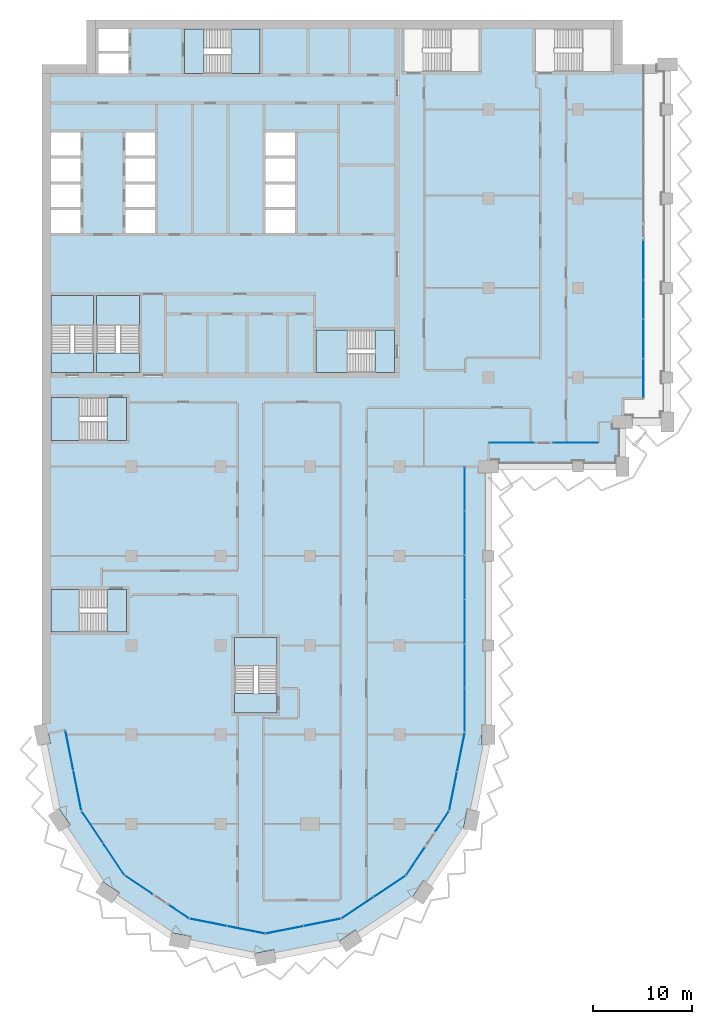
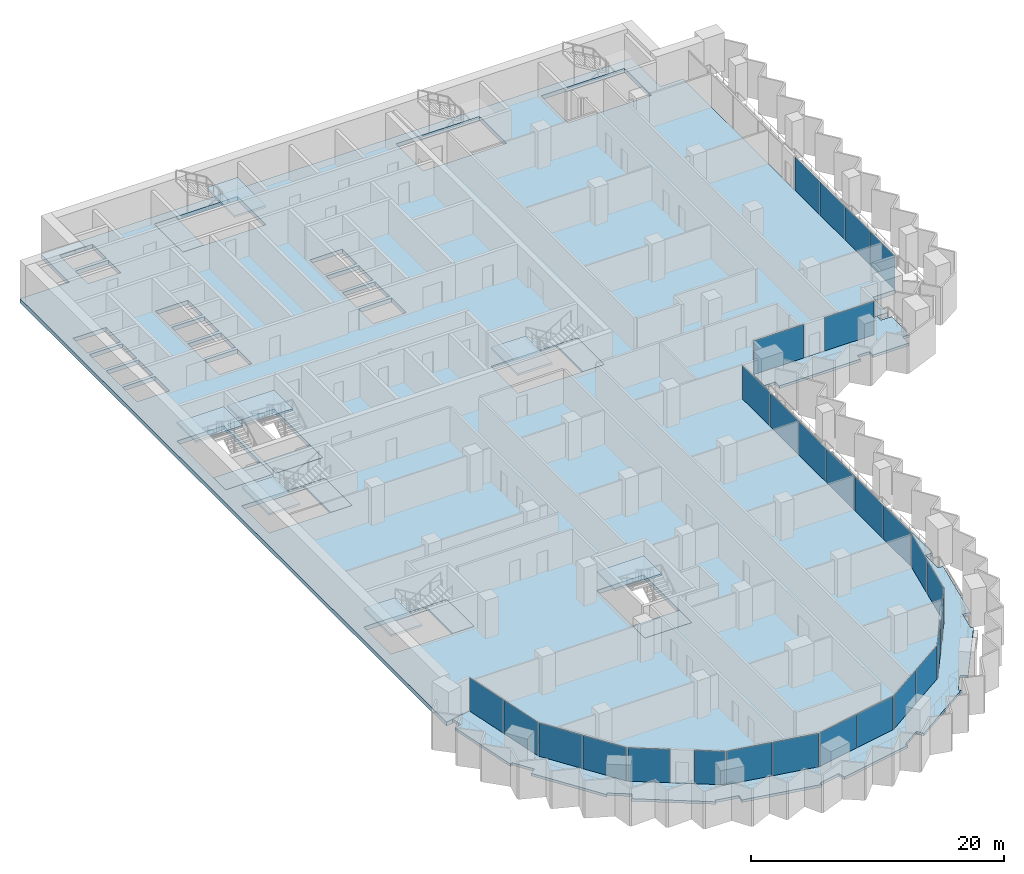
# One storey, part 7 of 23: 28 plates, 17 slabs, 21 elements without a shape of their own.
"""IFC4 building model written with IfcOpenShell, lengths in metres."""

from ifc_helpers import new_model, si_unit, direction, frame, origin, origin_2d, place, context, subcontext, project, spatial, polyline, rectangle, outline, extrude, material, layer, layer_set, type_object, element, aggregate, save


model = new_model("IFC4")

# Units and contexts
model_context = context("Model", 3, precision=1e-05, world=origin(), true_north=direction((0.0, 1.0)))
body_context = subcontext(model_context, "Body", "Model", "MODEL_VIEW")
ifc_project = project(units=[si_unit("LENGTHUNIT", "METRE"), si_unit("AREAUNIT", "SQUARE_METRE"), si_unit("VOLUMEUNIT", "CUBIC_METRE"), si_unit("PLANEANGLEUNIT", "RADIAN"), si_unit("MASSUNIT", "GRAM", prefix="KILO")], contexts=[model_context])

# Site, building, storey
site_placement = place(None, origin())
site = spatial("IfcSite", under=ifc_project, at=site_placement, CompositionType="ELEMENT")
building_placement = place(site_placement, origin())
building = spatial("IfcBuilding", under=site, at=building_placement, Name="Hunhe Ridgeline Campus", CompositionType="ELEMENT")
storey_placement = place(building_placement, frame((0.0, 0.0, 144.89990234375)))
storey = spatial("IfcBuildingStorey", under=building, at=storey_placement, Name="L36", CompositionType="ELEMENT", Elevation=144.89990234375)

# Curtain wall, plates
ifc_material_1 = material(Name="Aluminium 6063", Category="aluminium")
curtain_wall_type_1 = type_object("IfcCurtainWallType", Name="Curtain wall CW-5", PredefinedType="NOTDEFINED", material=ifc_material_1)
curtain_wall_1_placement = place(storey_placement, origin())
curtain_wall_1 = element("IfcCurtainWall", 1, at=curtain_wall_1_placement, inside=storey, type_object=curtain_wall_type_1, Name="Curtain wall 01", PredefinedType="NOTDEFINED")
ifc_material_2 = material(Name="Low-e laminated glass", Category="glass")
ifc_layer_1 = layer(ifc_material_2, 0.028076171875)
ifc_layer_set_1 = layer_set([ifc_layer_1], Name="Curtain wall glass panel 28 low-e laminated")
plate_type = type_object("IfcPlateType", Name="Curtain wall glass panel 28 low-e laminated", PredefinedType="CURTAIN_PANEL", material=ifc_layer_set_1)
plate_1_placement = place(storey_placement, frame((2.76318359375, 25.416015625, 0.0), z_axis=(0.0, 0.0, 1.0), x_axis=(0.195095347137, -0.980784280831, 0.0)))
plate_1 = element("IfcPlate", 2, at=plate_1_placement, type_object=plate_type, Name="CW-5 panel 1", PredefinedType="CURTAIN_PANEL", context=body_context, shape_type="SweptSolid", body=[
    extrude(rectangle(XDim=4.0458984375, YDim=0.028076171875, at=origin_2d()), origin(), (0.0, 0.0, 1.0), 3.22998046875),
])
plate_2_placement = place(storey_placement, frame((3.566162109375, 21.379150390625, 0.0), z_axis=(0.0, 0.0, 1.0), x_axis=(0.195095347137, -0.980784280831, 0.0)))
plate_2 = element("IfcPlate", 3, at=plate_2_placement, type_object=plate_type, Name="CW-5 panel 2", PredefinedType="CURTAIN_PANEL", context=body_context, shape_type="SweptSolid", body=[
    extrude(rectangle(XDim=4.0458984375, YDim=0.028076171875, at=origin_2d()), origin(), (0.0, 0.0, 1.0), 3.22998046875),
])
aggregate(curtain_wall_1, [plate_1, plate_2])

curtain_wall_2_placement = place(storey_placement, origin())
curtain_wall_2 = element("IfcCurtainWall", 4, at=curtain_wall_2_placement, inside=storey, type_object=curtain_wall_type_1, Name="Curtain wall 02", PredefinedType="NOTDEFINED")
plate_3_placement = place(storey_placement, frame((5.07080078125, 17.685546875, 0.0), z_axis=(0.0, 0.0, 1.0), x_axis=(0.555570274596, -0.831469584522, 0.0)))
plate_3 = element("IfcPlate", 5, at=plate_3_placement, type_object=plate_type, Name="CW-5 panel 1", PredefinedType="CURTAIN_PANEL", context=body_context, shape_type="SweptSolid", body=[
    extrude(rectangle(XDim=3.806884765625, YDim=0.028076171875, at=origin_2d()), origin(), (0.0, 0.0, 1.0), 3.22998046875),
])
plate_4_placement = place(storey_placement, frame((7.224609375, 14.4619140625, 0.0), z_axis=(0.0, 0.0, 1.0), x_axis=(0.555570274596, -0.831469584522, 0.0)))
plate_4 = element("IfcPlate", 6, at=plate_4_placement, type_object=plate_type, Name="CW-5 panel 2", PredefinedType="CURTAIN_PANEL", context=body_context, shape_type="SweptSolid", body=[
    extrude(rectangle(XDim=3.806884765625, YDim=0.028076171875, at=origin_2d()), origin(), (0.0, 0.0, 1.0), 3.22998046875),
])
aggregate(curtain_wall_2, [plate_3, plate_4])

# Curtain wall, plate
curtain_wall_3_placement = place(storey_placement, origin())
curtain_wall_3 = element("IfcCurtainWall", 7, at=curtain_wall_3_placement, inside=storey, type_object=curtain_wall_type_1, Name="Curtain wall 03", PredefinedType="NOTDEFINED")
plate_5_placement = place(storey_placement, frame((9.76025390625, 11.859375, 0.0), z_axis=(0.0, 0.0, 1.0), x_axis=(0.831469595944, -0.555570257501, 0.0)))
plate_5 = element("IfcPlate", 8, at=plate_5_placement, type_object=plate_type, Name="CW-5 panel 1", PredefinedType="CURTAIN_PANEL", context=body_context, shape_type="SweptSolid", body=[
    extrude(rectangle(XDim=3.322021484375, YDim=0.028076171875, at=origin_2d()), origin(), (0.0, 0.0, 1.0), 3.22998046875),
])
aggregate(curtain_wall_3, [plate_5])

curtain_wall_4_placement = place(storey_placement, origin())
curtain_wall_4 = element("IfcCurtainWall", 9, at=curtain_wall_4_placement, inside=storey, type_object=curtain_wall_type_1, Name="Curtain wall 04", PredefinedType="NOTDEFINED")
plate_6_placement = place(storey_placement, frame((13.761474609375, 9.18603515625, 0.0), z_axis=(0.0, 0.0, 1.0), x_axis=(0.831469510353, -0.555570385598, 0.0)))
plate_6 = element("IfcPlate", 10, at=plate_6_placement, type_object=plate_type, Name="CW-5 panel 1", PredefinedType="CURTAIN_PANEL", context=body_context, shape_type="SweptSolid", body=[
    extrude(rectangle(XDim=2.421875, YDim=0.028076171875, at=origin_2d()), origin(), (0.0, 0.0, 1.0), 3.22998046875),
])
aggregate(curtain_wall_4, [plate_6])

# Curtain wall, plates
curtain_wall_5_placement = place(storey_placement, origin())
curtain_wall_5 = element("IfcCurtainWall", 11, at=curtain_wall_5_placement, inside=storey, type_object=curtain_wall_type_1, Name="Curtain wall 05", PredefinedType="NOTDEFINED")
plate_7_placement = place(storey_placement, frame((16.761962890625, 8.08935546875, 0.0), z_axis=(0.0, 0.0, 1.0), x_axis=(0.980785275326, -0.195090347539, 0.0)))
plate_7 = element("IfcPlate", 12, at=plate_7_placement, type_object=plate_type, Name="CW-5 panel 1", PredefinedType="CURTAIN_PANEL", context=body_context, shape_type="SweptSolid", body=[
    extrude(rectangle(XDim=3.806884765625, YDim=0.028076171875, at=origin_2d()), origin(), (0.0, 0.0, 1.0), 3.22998046875),
])
plate_8_placement = place(storey_placement, frame((20.564453125, 7.3330078125, 0.0), z_axis=(0.0, 0.0, 1.0), x_axis=(0.980785275326, -0.195090347539, 0.0)))
plate_8 = element("IfcPlate", 13, at=plate_8_placement, type_object=plate_type, Name="CW-5 panel 2", PredefinedType="CURTAIN_PANEL", context=body_context, shape_type="SweptSolid", body=[
    extrude(rectangle(XDim=3.806884765625, YDim=0.028076171875, at=origin_2d()), origin(), (0.0, 0.0, 1.0), 3.22998046875),
])
aggregate(curtain_wall_5, [plate_7, plate_8])

curtain_wall_6_placement = place(storey_placement, origin())
curtain_wall_6 = element("IfcCurtainWall", 14, at=curtain_wall_6_placement, inside=storey, type_object=curtain_wall_type_1, Name="Curtain wall 06", PredefinedType="NOTDEFINED")
plate_9_placement = place(storey_placement, frame((24.435546875, 7.3330078125, 0.0), z_axis=(0.0, 0.0, 1.0), x_axis=(0.980785275326, 0.195090347539, 0.0)))
plate_9 = element("IfcPlate", 15, at=plate_9_placement, type_object=plate_type, Name="CW-5 panel 1", PredefinedType="CURTAIN_PANEL", context=body_context, shape_type="SweptSolid", body=[
    extrude(rectangle(XDim=3.806884765625, YDim=0.028076171875, at=origin_2d()), origin(), (0.0, 0.0, 1.0), 3.22998046875),
])
plate_10_placement = place(storey_placement, frame((28.238037109375, 8.08935546875, 0.0), z_axis=(0.0, 0.0, 1.0), x_axis=(0.980785275326, 0.195090347539, 0.0)))
plate_10 = element("IfcPlate", 16, at=plate_10_placement, type_object=plate_type, Name="CW-5 panel 2", PredefinedType="CURTAIN_PANEL", context=body_context, shape_type="SweptSolid", body=[
    extrude(rectangle(XDim=3.806884765625, YDim=0.028076171875, at=origin_2d()), origin(), (0.0, 0.0, 1.0), 3.22998046875),
])
aggregate(curtain_wall_6, [plate_9, plate_10])

curtain_wall_7_placement = place(storey_placement, origin())
curtain_wall_7 = element("IfcCurtainWall", 17, at=curtain_wall_7_placement, inside=storey, type_object=curtain_wall_type_1, Name="Curtain wall 07", PredefinedType="NOTDEFINED")
plate_11_placement = place(storey_placement, frame((31.814453125, 9.57080078125, 0.0), z_axis=(0.0, 0.0, 1.0), x_axis=(0.831469584522, 0.555570274596, 0.0)))
plate_11 = element("IfcPlate", 18, at=plate_11_placement, type_object=plate_type, Name="CW-5 panel 1", PredefinedType="CURTAIN_PANEL", context=body_context, shape_type="SweptSolid", body=[
    extrude(rectangle(XDim=3.806884765625, YDim=0.028076171875, at=origin_2d()), origin(), (0.0, 0.0, 1.0), 3.22998046875),
])
plate_12_placement = place(storey_placement, frame((35.0380859375, 11.724609375, 0.0), z_axis=(0.0, 0.0, 1.0), x_axis=(0.831469584522, 0.555570274596, 0.0)))
plate_12 = element("IfcPlate", 19, at=plate_12_placement, type_object=plate_type, Name="CW-5 panel 2", PredefinedType="CURTAIN_PANEL", context=body_context, shape_type="SweptSolid", body=[
    extrude(rectangle(XDim=3.806884765625, YDim=0.028076171875, at=origin_2d()), origin(), (0.0, 0.0, 1.0), 3.22998046875),
])
aggregate(curtain_wall_7, [plate_11, plate_12])

# Curtain wall, plate
curtain_wall_8_placement = place(storey_placement, origin())
curtain_wall_8 = element("IfcCurtainWall", 20, at=curtain_wall_8_placement, inside=storey, type_object=curtain_wall_type_1, Name="Curtain wall 08", PredefinedType="NOTDEFINED")
plate_13_placement = place(storey_placement, frame((37.640625, 14.26025390625, 0.0), z_axis=(0.0, 0.0, 1.0), x_axis=(0.555570257501, 0.831469595944, 0.0)))
plate_13 = element("IfcPlate", 21, at=plate_13_placement, type_object=plate_type, Name="CW-5 panel 1", PredefinedType="CURTAIN_PANEL", context=body_context, shape_type="SweptSolid", body=[
    extrude(rectangle(XDim=3.322021484375, YDim=0.028076171875, at=origin_2d()), origin(), (0.0, 0.0, 1.0), 3.22998046875),
])
aggregate(curtain_wall_8, [plate_13])

curtain_wall_9_placement = place(storey_placement, origin())
curtain_wall_9 = element("IfcCurtainWall", 22, at=curtain_wall_9_placement, inside=storey, type_object=curtain_wall_type_1, Name="Curtain wall 09", PredefinedType="NOTDEFINED")
plate_14_placement = place(storey_placement, frame((40.31396484375, 18.261474609375, 0.0), z_axis=(0.0, 0.0, 1.0), x_axis=(0.555570385598, 0.831469510353, 0.0)))
plate_14 = element("IfcPlate", 23, at=plate_14_placement, type_object=plate_type, Name="CW-5 panel 1", PredefinedType="CURTAIN_PANEL", context=body_context, shape_type="SweptSolid", body=[
    extrude(rectangle(XDim=2.421875, YDim=0.028076171875, at=origin_2d()), origin(), (0.0, 0.0, 1.0), 3.22998046875),
])
aggregate(curtain_wall_9, [plate_14])

# Curtain wall, plates
curtain_wall_10_placement = place(storey_placement, origin())
curtain_wall_10 = element("IfcCurtainWall", 24, at=curtain_wall_10_placement, inside=storey, type_object=curtain_wall_type_1, Name="Curtain wall 10", PredefinedType="NOTDEFINED")
plate_15_placement = place(storey_placement, frame((41.42236328125, 21.321044921875, 0.0), z_axis=(0.0, 0.0, 1.0), x_axis=(0.195090299215, 0.980785284939, 0.0)))
plate_15 = element("IfcPlate", 25, at=plate_15_placement, type_object=plate_type, Name="CW-5 panel 1", PredefinedType="CURTAIN_PANEL", context=body_context, shape_type="SweptSolid", body=[
    extrude(rectangle(XDim=3.927490234375, YDim=0.028076171875, at=origin_2d()), origin(), (0.0, 0.0, 1.0), 3.22998046875),
])
plate_16_placement = place(storey_placement, frame((42.2021484375, 25.24169921875, 0.0), z_axis=(0.0, 0.0, 1.0), x_axis=(0.195090299215, 0.980785284939, 0.0)))
plate_16 = element("IfcPlate", 26, at=plate_16_placement, type_object=plate_type, Name="CW-5 panel 2", PredefinedType="CURTAIN_PANEL", context=body_context, shape_type="SweptSolid", body=[
    extrude(rectangle(XDim=3.927490234375, YDim=0.028076171875, at=origin_2d()), origin(), (0.0, 0.0, 1.0), 3.22998046875),
])
aggregate(curtain_wall_10, [plate_15, plate_16])

curtain_wall_type_2 = type_object("IfcCurtainWallType", Name="Curtain wall CW-1", PredefinedType="NOTDEFINED", material=ifc_material_1)
curtain_wall_11_placement = place(storey_placement, origin())
curtain_wall_11 = element("IfcCurtainWall", 27, at=curtain_wall_11_placement, inside=storey, type_object=curtain_wall_type_2, Name="Curtain wall 11", PredefinedType="NOTDEFINED")
plate_17_placement = place(storey_placement, frame((42.59912109375, 29.481689453125, 0.0), z_axis=(0.0, 0.0, 1.0), x_axis=(4.408911e-06, 0.99999999999, 0.0)))
plate_17 = element("IfcPlate", 28, at=plate_17_placement, type_object=plate_type, Name="CW-1 panel 1", PredefinedType="CURTAIN_PANEL", context=body_context, shape_type="SweptSolid", body=[
    extrude(rectangle(XDim=4.37060546875, YDim=0.028076171875, at=origin_2d()), origin(), (0.0, 0.0, 1.0), 3.239990234375),
])
plate_18_placement = place(storey_placement, frame((42.59912109375, 33.927490234375, 0.0), z_axis=(0.0, 0.0, 1.0), x_axis=(4.408911e-06, 0.99999999999, 0.0)))
plate_18 = element("IfcPlate", 29, at=plate_18_placement, type_object=plate_type, Name="CW-1 panel 2", PredefinedType="CURTAIN_PANEL", context=body_context, shape_type="SweptSolid", body=[
    extrude(rectangle(XDim=4.400634765625, YDim=0.028076171875, at=origin_2d()), origin(), (0.0, 0.0, 1.0), 3.239990234375),
])
plate_19_placement = place(storey_placement, frame((42.59912109375, 38.38818359375, 0.0), z_axis=(0.0, 0.0, 1.0), x_axis=(4.408911e-06, 0.99999999999, 0.0)))
plate_19 = element("IfcPlate", 30, at=plate_19_placement, type_object=plate_type, Name="CW-1 panel 3", PredefinedType="CURTAIN_PANEL", context=body_context, shape_type="SweptSolid", body=[
    extrude(rectangle(XDim=4.400634765625, YDim=0.028076171875, at=origin_2d()), origin(), (0.0, 0.0, 1.0), 3.239990234375),
])
plate_20_placement = place(storey_placement, frame((42.59912109375, 42.848876953125, 0.0), z_axis=(0.0, 0.0, 1.0), x_axis=(4.408911e-06, 0.99999999999, 0.0)))
plate_20 = element("IfcPlate", 31, at=plate_20_placement, type_object=plate_type, Name="CW-1 panel 4", PredefinedType="CURTAIN_PANEL", context=body_context, shape_type="SweptSolid", body=[
    extrude(rectangle(XDim=4.400634765625, YDim=0.028076171875, at=origin_2d()), origin(), (0.0, 0.0, 1.0), 3.239990234375),
])
plate_21_placement = place(storey_placement, frame((42.59912109375, 47.3095703125, 0.0), z_axis=(0.0, 0.0, 1.0), x_axis=(4.408911e-06, 0.99999999999, 0.0)))
plate_21 = element("IfcPlate", 32, at=plate_21_placement, type_object=plate_type, Name="CW-1 panel 5", PredefinedType="CURTAIN_PANEL", context=body_context, shape_type="SweptSolid", body=[
    extrude(rectangle(XDim=4.400634765625, YDim=0.028076171875, at=origin_2d()), origin(), (0.0, 0.0, 1.0), 3.239990234375),
])
plate_22_placement = place(storey_placement, frame((42.59912109375, 51.755126953125, 0.0), z_axis=(0.0, 0.0, 1.0), x_axis=(4.408911e-06, 0.99999999999, 0.0)))
plate_22 = element("IfcPlate", 33, at=plate_22_placement, type_object=plate_type, Name="CW-1 panel 6", PredefinedType="CURTAIN_PANEL", context=body_context, shape_type="SweptSolid", body=[
    extrude(rectangle(XDim=4.37060546875, YDim=0.028076171875, at=origin_2d()), origin(), (0.0, 0.0, 1.0), 3.239990234375),
])
aggregate(curtain_wall_11, [plate_17, plate_18, plate_19, plate_20, plate_21, plate_22])

# Curtain wall, plate
curtain_wall_12_placement = place(storey_placement, origin())
curtain_wall_12 = element("IfcCurtainWall", 34, at=curtain_wall_12_placement, inside=storey, type_object=curtain_wall_type_2, Name="Curtain wall 12", PredefinedType="NOTDEFINED")
plate_23_placement = place(storey_placement, frame((47.32470703125, 56.40087890625, 0.0), z_axis=(0.0, 0.0, 1.0), x_axis=(0.999999999999, 1.72058e-06, 0.0)))
plate_23 = element("IfcPlate", 35, at=plate_23_placement, type_object=plate_type, Name="CW-1 panel 1", PredefinedType="CURTAIN_PANEL", context=body_context, shape_type="SweptSolid", body=[
    extrude(rectangle(XDim=4.529541015625, YDim=0.028076171875, at=origin_2d()), origin(), (0.0, 0.0, 1.0), 3.239990234375),
])
aggregate(curtain_wall_12, [plate_23])

curtain_wall_13_placement = place(storey_placement, origin())
curtain_wall_13 = element("IfcCurtainWall", 36, at=curtain_wall_13_placement, inside=storey, type_object=curtain_wall_type_2, Name="Curtain wall 13", PredefinedType="NOTDEFINED")
plate_24_placement = place(storey_placement, frame((53.774169921875, 56.40087890625, 0.0), z_axis=(0.0, 0.0, 1.0), x_axis=(0.999999999999, 1.72058e-06, 0.0)))
plate_24 = element("IfcPlate", 37, at=plate_24_placement, type_object=plate_type, Name="CW-1 panel 1", PredefinedType="CURTAIN_PANEL", context=body_context, shape_type="SweptSolid", body=[
    extrude(rectangle(XDim=4.529541015625, YDim=0.028076171875, at=origin_2d()), origin(), (0.0, 0.0, 1.0), 3.239990234375),
])
aggregate(curtain_wall_13, [plate_24])

# Curtain wall, plates
curtain_wall_14_placement = place(storey_placement, origin())
curtain_wall_14 = element("IfcCurtainWall", 38, at=curtain_wall_14_placement, inside=storey, type_object=curtain_wall_type_2, Name="Curtain wall 14", PredefinedType="NOTDEFINED")
plate_25_placement = place(storey_placement, frame((60.59912109375, 62.9033203125, 0.0), z_axis=(0.0, 0.0, 1.0), x_axis=(0.0, 1.0, 0.0)))
plate_25 = element("IfcPlate", 39, at=plate_25_placement, type_object=plate_type, Name="CW-1 panel 1", PredefinedType="CURTAIN_PANEL", context=body_context, shape_type="SweptSolid", body=[
    extrude(rectangle(XDim=3.884765625, YDim=0.028076171875, at=origin_2d()), origin(), (0.0, 0.0, 1.0), 3.239990234375),
])
plate_26_placement = place(storey_placement, frame((60.59912109375, 66.86328125, 0.0), z_axis=(0.0, 0.0, 1.0), x_axis=(0.0, 1.0, 0.0)))
plate_26 = element("IfcPlate", 40, at=plate_26_placement, type_object=plate_type, Name="CW-1 panel 2", PredefinedType="CURTAIN_PANEL", context=body_context, shape_type="SweptSolid", body=[
    extrude(rectangle(XDim=3.914794921875, YDim=0.028076171875, at=origin_2d()), origin(), (0.0, 0.0, 1.0), 3.239990234375),
])
plate_27_placement = place(storey_placement, frame((60.59912109375, 70.838134765625, 0.0), z_axis=(0.0, 0.0, 1.0), x_axis=(0.0, 1.0, 0.0)))
plate_27 = element("IfcPlate", 41, at=plate_27_placement, type_object=plate_type, Name="CW-1 panel 3", PredefinedType="CURTAIN_PANEL", context=body_context, shape_type="SweptSolid", body=[
    extrude(rectangle(XDim=3.914794921875, YDim=0.028076171875, at=origin_2d()), origin(), (0.0, 0.0, 1.0), 3.239990234375),
])
plate_28_placement = place(storey_placement, frame((60.59912109375, 74.798095703125, 0.0), z_axis=(0.0, 0.0, 1.0), x_axis=(0.0, 1.0, 0.0)))
plate_28 = element("IfcPlate", 42, at=plate_28_placement, type_object=plate_type, Name="CW-1 panel 4", PredefinedType="CURTAIN_PANEL", context=body_context, shape_type="SweptSolid", body=[
    extrude(rectangle(XDim=3.884765625, YDim=0.028076171875, at=origin_2d()), origin(), (0.0, 0.0, 1.0), 3.239990234375),
])
aggregate(curtain_wall_14, [plate_25, plate_26, plate_27, plate_28])

# Slabs
ifc_material_3 = material(Name="Concrete C40", Category="concrete")
ifc_layer_2 = layer(ifc_material_3, 0.39990234375)
ifc_layer_set_2 = layer_set([ifc_layer_2], Name="Floor slab 400 Concrete C40")
slab_type_1 = type_object("IfcSlabType", Name="Floor slab 400 Concrete C40", PredefinedType="FLOOR", material=ifc_layer_set_2)
slab_1_placement = place(storey_placement, frame((0.0, 0.0, -0.39990234375)))
element("IfcSlab", 43, at=slab_1_placement, inside=storey, type_object=slab_type_1, Name="Floor slab L36 1", PredefinedType="FLOOR", context=body_context, shape_type="SweptSolid", body=[
    extrude(outline(polyline([(2.354736328125, 27.46875), (3.974365234375, 19.326416015625), (8.321044921875, 12.821044921875), (14.826416015625, 8.474365234375), (22.5, 6.947998046875), (30.173583984375, 8.474365234375), (36.678955078125, 12.821044921875), (41.025634765625, 19.326416015625), (42.59912109375, 27.236572265625), (42.59912109375, 54.00048828125), (44.9990234375, 54.0009765625), (44.999755859375, 56.40087890625), (56.09912109375, 56.40087890625), (56.099365234375, 58.500732421875), (58.4990234375, 58.5009765625), (58.499267578125, 60.900634765625), (60.59912109375, 60.90087890625), (60.59912109375, 94.5), (58.5, 94.5), (58.5, 99.0), (4.5, 99.0), (4.5, 94.5), (0.0, 94.5), (0.0, 27.0009765625), (2.354736328125, 27.46875)]), holes=[polyline([(49.699951171875, 93.800048828125), (57.300048828125, 93.800048828125), (57.300048828125, 98.10009765625), (49.699951171875, 98.10009765625), (49.699951171875, 93.800048828125)]), polyline([(44.050048828125, 93.800048828125), (44.050048828125, 98.10009765625), (36.449951171875, 98.10009765625), (36.449951171875, 93.800048828125), (44.050048828125, 93.800048828125)]), polyline([(35.5, 67.75), (27.60009765625, 67.75), (27.60009765625, 63.5), (35.5, 63.5), (35.5, 67.75)]), polyline([(25.5, 82.75), (25.5, 85.050048828125), (22.5, 85.050048828125), (22.5, 82.75), (25.5, 82.75)]), polyline([(25.5, 82.449951171875), (22.5, 82.449951171875), (22.5, 80.14990234375), (25.5, 80.14990234375), (25.5, 82.449951171875)]), polyline([(22.5, 85.35009765625), (25.5, 85.35009765625), (25.5, 87.64990234375), (22.5, 87.64990234375), (22.5, 85.35009765625)]), polyline([(22.5, 79.85009765625), (22.5, 77.550048828125), (25.5, 77.550048828125), (25.5, 79.85009765625), (22.5, 79.85009765625)]), polyline([(19.39990234375, 29.199951171875), (23.699951171875, 29.199951171875), (23.699951171875, 36.800048828125), (19.39990234375, 36.800048828125), (19.39990234375, 29.199951171875)]), polyline([(21.949951171875, 93.60009765625), (21.949951171875, 98.10009765625), (14.35009765625, 98.10009765625), (14.35009765625, 93.60009765625), (21.949951171875, 93.60009765625)]), polyline([(8.39990234375, 79.85009765625), (8.39990234375, 77.550048828125), (11.39990234375, 77.550048828125), (11.39990234375, 79.85009765625), (8.39990234375, 79.85009765625)]), polyline([(8.39990234375, 85.35009765625), (11.39990234375, 85.35009765625), (11.39990234375, 87.64990234375), (8.39990234375, 87.64990234375), (8.39990234375, 85.35009765625)]), polyline([(11.39990234375, 82.449951171875), (8.39990234375, 82.449951171875), (8.39990234375, 80.14990234375), (11.39990234375, 80.14990234375), (11.39990234375, 82.449951171875)]), polyline([(11.39990234375, 82.75), (11.39990234375, 85.050048828125), (8.39990234375, 85.050048828125), (8.39990234375, 82.75), (11.39990234375, 82.75)]), polyline([(5.5, 71.25), (5.5, 63.5), (9.800048828125, 63.5), (9.800048828125, 71.25), (5.5, 71.25)]), polyline([(8.699951171875, 98.10009765625), (5.699951171875, 98.10009765625), (5.699951171875, 95.89990234375), (8.699951171875, 95.89990234375), (8.699951171875, 98.10009765625)]), polyline([(5.699951171875, 95.60009765625), (5.699951171875, 93.60009765625), (8.699951171875, 93.60009765625), (8.699951171875, 95.60009765625), (5.699951171875, 95.60009765625)]), polyline([(0.89990234375, 60.949951171875), (0.89990234375, 56.64990234375), (8.5, 56.64990234375), (8.5, 60.949951171875), (0.89990234375, 60.949951171875)]), polyline([(0.89990234375, 37.35009765625), (8.5, 37.35009765625), (8.5, 41.64990234375), (0.89990234375, 41.64990234375), (0.89990234375, 37.35009765625)]), polyline([(0.89990234375, 63.5), (5.199951171875, 63.5), (5.199951171875, 71.25), (0.89990234375, 71.25), (0.89990234375, 63.5)]), polyline([(3.89990234375, 82.75), (3.89990234375, 85.050048828125), (0.89990234375, 85.050048828125), (0.89990234375, 82.75), (3.89990234375, 82.75)]), polyline([(3.89990234375, 82.449951171875), (0.89990234375, 82.449951171875), (0.89990234375, 80.14990234375), (3.89990234375, 80.14990234375), (3.89990234375, 82.449951171875)]), polyline([(0.89990234375, 85.35009765625), (3.89990234375, 85.35009765625), (3.89990234375, 87.64990234375), (0.89990234375, 87.64990234375), (0.89990234375, 85.35009765625)]), polyline([(0.89990234375, 79.85009765625), (0.89990234375, 77.550048828125), (3.89990234375, 77.550048828125), (3.89990234375, 79.85009765625), (0.89990234375, 79.85009765625)])]), origin(), (0.0, 0.0, 1.0), 0.39990234375),
])
ifc_layer_3 = layer(ifc_material_3, 0.25)
ifc_layer_set_3 = layer_set([ifc_layer_3], Name="Loggia slab 250 Concrete C40")
slab_type_2 = type_object("IfcSlabType", Name="Loggia slab 250 Concrete C40", PredefinedType="FLOOR", material=ifc_layer_set_3)
slab_2_placement = place(storey_placement, frame((0.0, 0.0, -0.25)))
element("IfcSlab", 44, at=slab_2_placement, inside=storey, type_object=slab_type_2, Name="Loggia slab 1", PredefinedType="FLOOR", context=body_context, shape_type="SweptSolid", body=[
    extrude(outline(polyline([(30.173828125, 8.473388671875), (22.5, 6.947021484375), (14.826171875, 8.473388671875), (8.3203125, 12.8203125), (3.973388671875, 19.326171875), (2.35400390625, 27.46826171875), (0.637451171875, 27.126708984375), (0.83251953125, 26.14599609375), (0.195068359375, 26.019287109375), (1.50146484375, 19.451171875), (1.697509765625, 19.582275390625), (2.808837890625, 17.919189453125), (2.268310546875, 17.55810546875), (5.98876953125, 11.989990234375), (6.11962890625, 12.18603515625), (7.78271484375, 11.074951171875), (7.421630859375, 10.534423828125), (12.98974609375, 6.81396484375), (13.03564453125, 7.04541015625), (14.997314453125, 6.655029296875), (14.870361328125, 6.017578125), (21.4384765625, 4.711181640625), (21.392333984375, 4.9423828125), (23.35400390625, 5.33251953125), (23.480712890625, 4.695068359375), (30.048828125, 6.00146484375), (29.917724609375, 6.197509765625), (31.580810546875, 7.308837890625), (31.94189453125, 6.768310546875), (37.510009765625, 10.48876953125), (37.31396484375, 10.61962890625), (38.425048828125, 12.28271484375), (38.965576171875, 11.921630859375), (42.68603515625, 17.48974609375), (42.45458984375, 17.53564453125), (42.844970703125, 19.497314453125), (43.482421875, 19.370361328125), (44.801025390625, 26.0), (44.35009765625, 26.0), (44.35009765625, 28.0), (45.0, 28.0), (45.0, 35.449951171875), (44.449951171875, 35.449951171875), (44.449951171875, 36.550048828125), (45.0, 36.550048828125), (45.0, 44.449951171875), (44.449951171875, 44.449951171875), (44.449951171875, 45.550048828125), (45.0, 45.550048828125), (45.0, 53.35009765625), (44.0, 53.35009765625), (44.0, 54.0), (42.60009765625, 54.0), (42.60009765625, 27.236328125), (41.026611328125, 19.326171875), (36.6796875, 12.8203125), (30.173828125, 8.473388671875)])), origin(), (0.0, 0.0, 1.0), 0.25),
])
slab_3_placement = place(storey_placement, frame((0.0, 0.0, -0.25)))
element("IfcSlab", 45, at=slab_3_placement, inside=storey, type_object=slab_type_2, Name="Loggia slab 2", PredefinedType="FLOOR", context=body_context, shape_type="SweptSolid", body=[
    extrude(outline(polyline([(45.0, 54.64990234375), (46.0, 54.64990234375), (46.0, 54.0), (53.449951171875, 54.0), (53.449951171875, 54.550048828125), (54.550048828125, 54.550048828125), (54.550048828125, 54.0), (57.85009765625, 54.0), (57.85009765625, 55.0), (58.5, 55.0), (58.5, 57.85009765625), (57.5, 57.85009765625), (57.5, 58.5), (56.10009765625, 58.5), (56.10009765625, 56.39990234375), (45.0, 56.39990234375), (45.0, 54.64990234375)])), origin(), (0.0, 0.0, 1.0), 0.25),
])

# Stair, slab
stair_type = type_object("IfcStairType", Name="Reinforced concrete dog-leg stair 1950 Concrete C40", PredefinedType="HALF_TURN_STAIR", material=ifc_material_3)
stair_1_placement = place(storey_placement, origin())
stair_1 = element("IfcStair", 46, at=stair_1_placement, inside=storey, type_object=stair_type, Name="L36 S1", PredefinedType="HALF_TURN_STAIR")
ifc_layer_4 = layer(ifc_material_3, 0.199951171875)
ifc_layer_set_4 = layer_set([ifc_layer_4], Name="Reinforced concrete stair landing 200 Concrete C40")
slab_type_3 = type_object("IfcSlabType", Name="Reinforced concrete stair landing 200 Concrete C40", PredefinedType="LANDING", material=ifc_layer_set_4)
slab_4_placement = place(storey_placement, frame((0.0, 0.0, 1.650146484375)))
slab_4 = element("IfcSlab", 47, at=slab_4_placement, type_object=slab_type_3, Name="ST1 landing 1", PredefinedType="LANDING", context=body_context, shape_type="SweptSolid", body=[
    extrude(outline(polyline([(19.10009765625, 93.60009765625), (21.949951171875, 93.60009765625), (21.949951171875, 98.10009765625), (19.10009765625, 98.10009765625), (19.10009765625, 93.60009765625)])), origin(), (0.0, 0.0, 1.0), 0.199951171875),
])
aggregate(stair_1, [slab_4])

# Slab
slab_5_placement = place(storey_placement, frame((0.0, 0.0, -0.199951171875)))
element("IfcSlab", 48, at=slab_5_placement, inside=storey, type_object=slab_type_3, Name="L36 stair S1 floor landing", PredefinedType="LANDING", context=body_context, shape_type="SweptSolid", body=[
    extrude(outline(polyline([(14.35009765625, 93.60009765625), (16.300048828125, 93.60009765625), (16.300048828125, 98.10009765625), (14.35009765625, 98.10009765625), (14.35009765625, 93.60009765625)])), origin(), (0.0, 0.0, 1.0), 0.199951171875),
])

# Stair, slab
stair_2_placement = place(storey_placement, origin())
stair_2 = element("IfcStair", 49, at=stair_2_placement, inside=storey, type_object=stair_type, Name="L36 S2", PredefinedType="HALF_TURN_STAIR")
slab_6_placement = place(storey_placement, frame((0.0, 0.0, 1.650146484375)))
slab_6 = element("IfcSlab", 50, at=slab_6_placement, type_object=slab_type_3, Name="ST2 landing 1", PredefinedType="LANDING", context=body_context, shape_type="SweptSolid", body=[
    extrude(outline(polyline([(30.75, 67.75), (27.60009765625, 67.75), (27.60009765625, 63.5), (30.75, 63.5), (30.75, 67.75)])), origin(), (0.0, 0.0, 1.0), 0.199951171875),
])
aggregate(stair_2, [slab_6])

# Slab
slab_7_placement = place(storey_placement, frame((0.0, 0.0, -0.199951171875)))
element("IfcSlab", 51, at=slab_7_placement, inside=storey, type_object=slab_type_3, Name="L36 stair S2 floor landing", PredefinedType="LANDING", context=body_context, shape_type="SweptSolid", body=[
    extrude(outline(polyline([(35.5, 67.75), (33.550048828125, 67.75), (33.550048828125, 63.5), (35.5, 63.5), (35.5, 67.75)])), origin(), (0.0, 0.0, 1.0), 0.199951171875),
])

# Stair, slab
stair_3_placement = place(storey_placement, origin())
stair_3 = element("IfcStair", 52, at=stair_3_placement, inside=storey, type_object=stair_type, Name="L36 S3", PredefinedType="HALF_TURN_STAIR")
slab_8_placement = place(storey_placement, frame((0.0, 0.0, 1.650146484375)))
slab_8 = element("IfcSlab", 53, at=slab_8_placement, type_object=slab_type_3, Name="ST3 landing 1", PredefinedType="LANDING", context=body_context, shape_type="SweptSolid", body=[
    extrude(outline(polyline([(5.199951171875, 68.25), (5.199951171875, 71.25), (0.89990234375, 71.25), (0.89990234375, 68.25), (5.199951171875, 68.25)])), origin(), (0.0, 0.0, 1.0), 0.199951171875),
])
aggregate(stair_3, [slab_8])

# Slab
slab_9_placement = place(storey_placement, frame((0.0, 0.0, -0.199951171875)))
element("IfcSlab", 54, at=slab_9_placement, inside=storey, type_object=slab_type_3, Name="L36 stair S3 floor landing", PredefinedType="LANDING", context=body_context, shape_type="SweptSolid", body=[
    extrude(outline(polyline([(5.199951171875, 63.5), (5.199951171875, 65.449951171875), (0.89990234375, 65.449951171875), (0.89990234375, 63.5), (5.199951171875, 63.5)])), origin(), (0.0, 0.0, 1.0), 0.199951171875),
])

# Stair, slab
stair_4_placement = place(storey_placement, origin())
stair_4 = element("IfcStair", 55, at=stair_4_placement, inside=storey, type_object=stair_type, Name="L36 S4", PredefinedType="HALF_TURN_STAIR")
slab_10_placement = place(storey_placement, frame((0.0, 0.0, 1.650146484375)))
slab_10 = element("IfcSlab", 56, at=slab_10_placement, type_object=slab_type_3, Name="ST4 landing 1", PredefinedType="LANDING", context=body_context, shape_type="SweptSolid", body=[
    extrude(outline(polyline([(9.800048828125, 68.25), (9.800048828125, 71.25), (5.5, 71.25), (5.5, 68.25), (9.800048828125, 68.25)])), origin(), (0.0, 0.0, 1.0), 0.199951171875),
])
aggregate(stair_4, [slab_10])

# Slab
slab_11_placement = place(storey_placement, frame((0.0, 0.0, -0.199951171875)))
element("IfcSlab", 57, at=slab_11_placement, inside=storey, type_object=slab_type_3, Name="L36 stair S4 floor landing", PredefinedType="LANDING", context=body_context, shape_type="SweptSolid", body=[
    extrude(outline(polyline([(9.800048828125, 63.5), (9.800048828125, 65.449951171875), (5.5, 65.449951171875), (5.5, 63.5), (9.800048828125, 63.5)])), origin(), (0.0, 0.0, 1.0), 0.199951171875),
])

# Stair, slab
stair_5_placement = place(storey_placement, origin())
stair_5 = element("IfcStair", 58, at=stair_5_placement, inside=storey, type_object=stair_type, Name="L36 W3", PredefinedType="HALF_TURN_STAIR")
slab_12_placement = place(storey_placement, frame((0.0, 0.0, 1.650146484375)))
slab_12 = element("IfcSlab", 59, at=slab_12_placement, type_object=slab_type_3, Name="ST9 landing 1", PredefinedType="LANDING", context=body_context, shape_type="SweptSolid", body=[
    extrude(outline(polyline([(23.699951171875, 33.949951171875), (23.699951171875, 36.800048828125), (19.39990234375, 36.800048828125), (19.39990234375, 33.949951171875), (23.699951171875, 33.949951171875)])), origin(), (0.0, 0.0, 1.0), 0.199951171875),
])
aggregate(stair_5, [slab_12])

# Slab
slab_13_placement = place(storey_placement, frame((0.0, 0.0, -0.199951171875)))
element("IfcSlab", 60, at=slab_13_placement, inside=storey, type_object=slab_type_3, Name="L36 stair W3 floor landing", PredefinedType="LANDING", context=body_context, shape_type="SweptSolid", body=[
    extrude(outline(polyline([(23.699951171875, 29.199951171875), (23.699951171875, 31.14990234375), (19.39990234375, 31.14990234375), (19.39990234375, 29.199951171875), (23.699951171875, 29.199951171875)])), origin(), (0.0, 0.0, 1.0), 0.199951171875),
])

# Stair, slab
stair_6_placement = place(storey_placement, origin())
stair_6 = element("IfcStair", 61, at=stair_6_placement, inside=storey, type_object=stair_type, Name="L36 W1", PredefinedType="HALF_TURN_STAIR")
slab_14_placement = place(storey_placement, frame((0.0, 0.0, 1.650146484375)))
slab_14 = element("IfcSlab", 62, at=slab_14_placement, type_object=slab_type_3, Name="ST11 landing 1", PredefinedType="LANDING", context=body_context, shape_type="SweptSolid", body=[
    extrude(outline(polyline([(3.75, 41.64990234375), (0.89990234375, 41.64990234375), (0.89990234375, 37.35009765625), (3.75, 37.35009765625), (3.75, 41.64990234375)])), origin(), (0.0, 0.0, 1.0), 0.199951171875),
])
aggregate(stair_6, [slab_14])

# Slab
slab_15_placement = place(storey_placement, frame((0.0, 0.0, -0.199951171875)))
element("IfcSlab", 63, at=slab_15_placement, inside=storey, type_object=slab_type_3, Name="L36 stair W1 floor landing", PredefinedType="LANDING", context=body_context, shape_type="SweptSolid", body=[
    extrude(outline(polyline([(8.5, 41.64990234375), (6.550048828125, 41.64990234375), (6.550048828125, 37.35009765625), (8.5, 37.35009765625), (8.5, 41.64990234375)])), origin(), (0.0, 0.0, 1.0), 0.199951171875),
])

# Stair, slab
stair_7_placement = place(storey_placement, origin())
stair_7 = element("IfcStair", 64, at=stair_7_placement, inside=storey, type_object=stair_type, Name="L36 W2", PredefinedType="HALF_TURN_STAIR")
slab_16_placement = place(storey_placement, frame((0.0, 0.0, 1.650146484375)))
slab_16 = element("IfcSlab", 65, at=slab_16_placement, type_object=slab_type_3, Name="ST12 landing 1", PredefinedType="LANDING", context=body_context, shape_type="SweptSolid", body=[
    extrude(outline(polyline([(3.75, 60.949951171875), (0.89990234375, 60.949951171875), (0.89990234375, 56.64990234375), (3.75, 56.64990234375), (3.75, 60.949951171875)])), origin(), (0.0, 0.0, 1.0), 0.199951171875),
])
aggregate(stair_7, [slab_16])

# Slab
slab_17_placement = place(storey_placement, frame((0.0, 0.0, -0.199951171875)))
element("IfcSlab", 66, at=slab_17_placement, inside=storey, type_object=slab_type_3, Name="L36 stair W2 floor landing", PredefinedType="LANDING", context=body_context, shape_type="SweptSolid", body=[
    extrude(outline(polyline([(8.5, 60.949951171875), (6.550048828125, 60.949951171875), (6.550048828125, 56.64990234375), (8.5, 56.64990234375), (8.5, 60.949951171875)])), origin(), (0.0, 0.0, 1.0), 0.199951171875),
])

save(model, "model.ifc")
